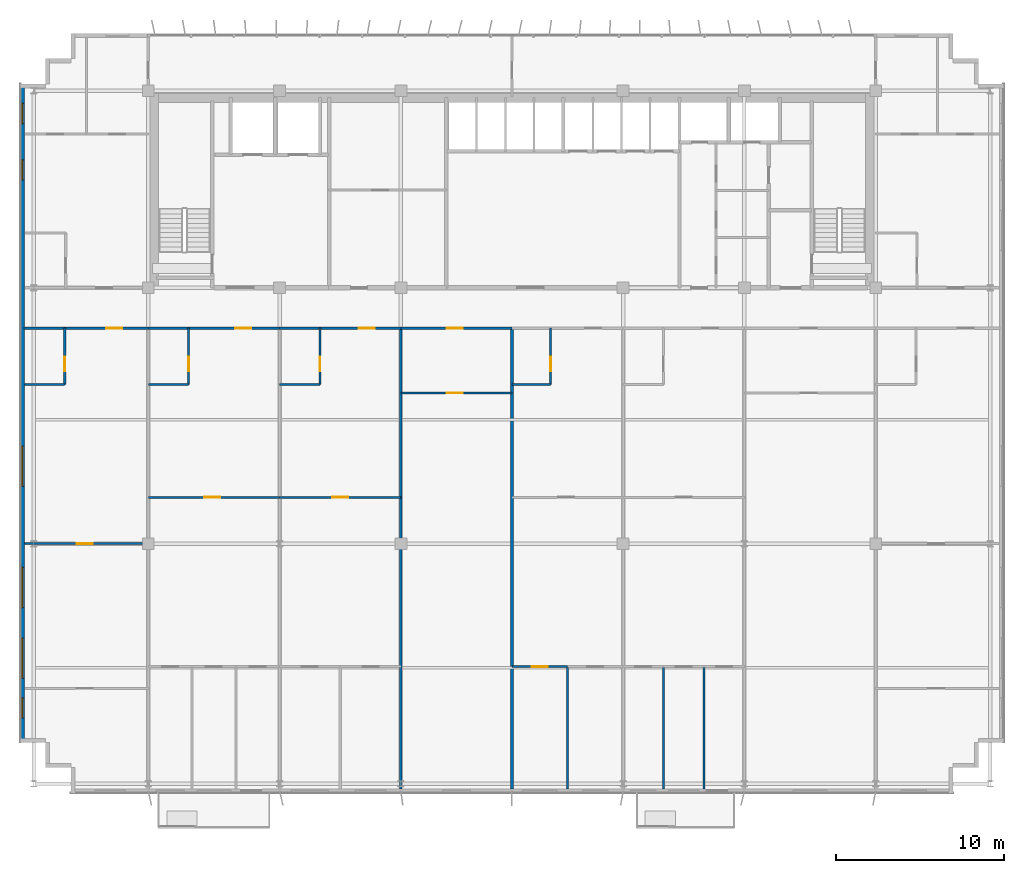
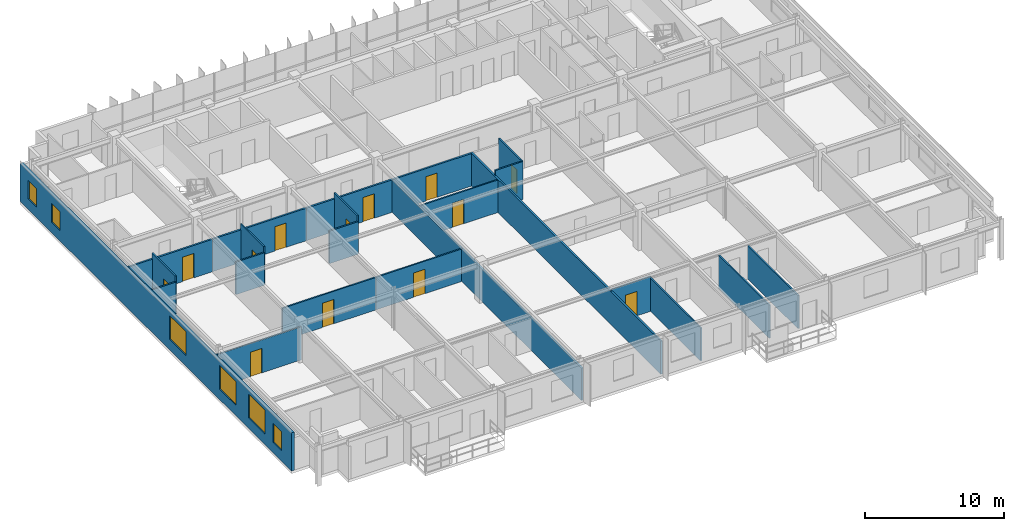
# One storey, part 17 of 23: 23 walls, 13 doors, 6 windows, 19 openings.
"""IFC4 building model written with IfcOpenShell, lengths in metres."""

import ifcopenshell
import ifcopenshell.guid

model = None  # the IFC model being written
_history = None  # IfcOwnerHistory: only IFC2X3 demands one
_inside = {}  # id of a spatial element -> (the spatial element, [elements in it])
_under = {}  # id of a project, library or spatial element -> (it, [spatial elements below it])
_declared = {}  # id of a project -> (the project, [libraries it declares])
_typed = {}  # id of a type object -> (the type object, [elements of that type])
_made_of = {}  # id of a material, layer set ... -> (it, [elements and type objects made of it])


def new_model(schema):
    """Start an empty IFC model of exactly this schema.

    Asked for "IFC4X3", IfcOpenShell would pick the latest addendum, in which some entities
    have other attributes; the version numbers below select the first issue.
    IFC2X3 requires an IfcOwnerHistory on every rooted entity: one is made here for all.
    """
    global model, _history
    if schema == "IFC4X3":
        model = ifcopenshell.file(schema_version=(4, 3, 0, 0))
    else:
        model = ifcopenshell.file(schema=schema)
    _inside.clear()
    _under.clear()
    _declared.clear()
    _typed.clear()
    _made_of.clear()
    _history = None
    if model.schema == "IFC2X3":
        org = make("IfcOrganization", Name="unknown")
        user = make(
            "IfcPersonAndOrganization",
            ThePerson=make("IfcPerson", FamilyName="unknown"),
            TheOrganization=org,
        )
        app = make(
            "IfcApplication",
            ApplicationDeveloper=org,
            Version="unknown",
            ApplicationFullName="unknown",
            ApplicationIdentifier="unknown",
        )
        _history = make(
            "IfcOwnerHistory",
            OwningUser=user,
            OwningApplication=app,
            ChangeAction="ADDED",
            CreationDate=0,
        )
    return model


def make(cls, **values):
    """One entity of the class cls with the attributes given. An attribute that is None is left unset."""
    return model.create_entity(
        cls, **{name: value for name, value in values.items() if value is not None}
    )


def rooted(cls, **values):
    """An entity with a GlobalId (a new one), such as an element, a storey or a relation."""
    return make(cls, GlobalId=ifcopenshell.guid.new(), OwnerHistory=_history, **values)


def si_unit(unit_type, name, prefix=None):
    """IfcSIUnit, for example si_unit("LENGTHUNIT", "METRE", prefix="MILLI")."""
    return make("IfcSIUnit", UnitType=unit_type, Prefix=prefix, Name=name)


def assignment(units):
    """IfcUnitAssignment: the units of a project."""
    return None if units is None else make("IfcUnitAssignment", Units=units)


def point(xyz):
    """IfcCartesianPoint."""
    return None if xyz is None else make("IfcCartesianPoint", Coordinates=xyz)


def direction(xyz):
    """IfcDirection."""
    return None if xyz is None else make("IfcDirection", DirectionRatios=xyz)


def frame(location, z_axis=None, x_axis=None):
    """IfcAxis2Placement3D, a coordinate frame: its origin and axes. An axis left out is left unset."""
    return make(
        "IfcAxis2Placement3D",
        Location=point(location),
        Axis=direction(z_axis),
        RefDirection=direction(x_axis),
    )


def frame_2d(location, x_axis=None):
    """IfcAxis2Placement2D, a coordinate frame in the plane: its origin and x axis."""
    return make(
        "IfcAxis2Placement2D", Location=point(location), RefDirection=direction(x_axis)
    )


def origin():
    """The frame at (0, 0, 0) with its axes left unset."""
    return frame((0.0, 0.0, 0.0))


def place(relative_to, where):
    """IfcLocalPlacement: puts the frame where relative to a parent placement (None: the world)."""
    return make(
        "IfcLocalPlacement", PlacementRelTo=relative_to, RelativePlacement=where
    )


def context(
    kind, dimensions, precision=None, world=None, true_north=None, identifier=None
):
    """IfcGeometricRepresentationContext, for example the 3D "Model" context."""
    return make(
        "IfcGeometricRepresentationContext",
        ContextIdentifier=identifier,
        ContextType=kind,
        CoordinateSpaceDimension=dimensions,
        Precision=precision,
        WorldCoordinateSystem=world,
        TrueNorth=true_north,
    )


def subcontext(parent, identifier, kind, view, scale=None):
    """IfcGeometricRepresentationSubContext, for example "Body" below "Model"."""
    return make(
        "IfcGeometricRepresentationSubContext",
        ContextIdentifier=identifier,
        ContextType=kind,
        ParentContext=parent,
        TargetScale=scale,
        TargetView=view,
    )


def project(units=None, contexts=None):
    """IfcProject with its units and contexts."""
    return rooted(
        "IfcProject",
        Name="project",
        RepresentationContexts=contexts,
        UnitsInContext=assignment(units),
    )


def spatial(cls, under=None, at=None, **own):
    """A site, building, storey or space (cls), placed at a placement, below another one or the project."""
    s = rooted(cls, ObjectPlacement=at, **own)
    if under is not None:
        _under.setdefault(under.id(), (under, []))[1].append(s)
    return s


def profile(cls, at=None, kind="AREA", **sizes):
    """A parametric profile (cls). Its sizes go by their IFC names, for example OverallWidth=200.0."""
    return make(cls, ProfileType=kind, Position=at, **sizes)


def rectangle(**sizes):
    """IfcRectangleProfileDef."""
    return profile("IfcRectangleProfileDef", **sizes)


def extrude(swept, where, along, depth):
    """IfcExtrudedAreaSolid: the profile swept, set in the frame where, extruded along a direction by depth."""
    return make(
        "IfcExtrudedAreaSolid",
        SweptArea=swept,
        Position=where,
        ExtrudedDirection=direction(along),
        Depth=depth,
    )


def shape(context_of_items, identifier, shape_type, items):
    """IfcShapeRepresentation: the items that make up one representation, for example the "Body"."""
    return make(
        "IfcShapeRepresentation",
        ContextOfItems=context_of_items,
        RepresentationIdentifier=identifier,
        RepresentationType=shape_type,
        Items=items,
    )


def source(mapping_origin, context_of_items, identifier, shape_type, items):
    """IfcRepresentationMap: a shape defined once, which mapped items show again and again."""
    return make(
        "IfcRepresentationMap",
        MappingOrigin=mapping_origin,
        MappedRepresentation=shape(context_of_items, identifier, shape_type, items),
    )


def transform(
    local_origin,
    x_axis=None,
    y_axis=None,
    z_axis=None,
    scale=None,
    scale2=None,
    scale3=None,
    uniform=True,
):
    """IfcCartesianTransformationOperator3D, or its non-uniform kind. x_axis, y_axis, z_axis: its Axis1, 2, 3."""
    if uniform:
        return make(
            "IfcCartesianTransformationOperator3D",
            Axis1=direction(x_axis),
            Axis2=direction(y_axis),
            LocalOrigin=point(local_origin),
            Scale=scale,
            Axis3=direction(z_axis),
        )
    return make(
        "IfcCartesianTransformationOperator3DnonUniform",
        Axis1=direction(x_axis),
        Axis2=direction(y_axis),
        LocalOrigin=point(local_origin),
        Scale=scale,
        Axis3=direction(z_axis),
        Scale2=scale2,
        Scale3=scale3,
    )


def mapped(mapping_source, mapping_target):
    """IfcMappedItem: shows the shape of a source again, moved by a transform."""
    return make(
        "IfcMappedItem", MappingSource=mapping_source, MappingTarget=mapping_target
    )


def material(Name=None, Category=None):
    """IfcMaterial."""
    return make("IfcMaterial", Name=Name, Category=Category)


def layer(
    of_material, thickness, ventilated=None, Name=None, Category=None, Priority=None
):
    """IfcMaterialLayer: one layer of a wall or slab, of a material (None: an air gap)."""
    return make(
        "IfcMaterialLayer",
        Material=of_material,
        LayerThickness=thickness,
        IsVentilated=ventilated,
        Name=Name,
        Category=Category,
        Priority=Priority,
    )


def layer_set(layers, Name=None):
    """IfcMaterialLayerSet."""
    return make("IfcMaterialLayerSet", MaterialLayers=layers, LayerSetName=Name)


def made_of(thing, what):
    """Note that an element or type object is made of a material, layer set ...; save() writes the relation."""
    if what is not None:
        _made_of.setdefault(what.id(), (what, []))[1].append(thing)
    return thing


def type_object(cls, material=None, **own):
    """A type object (cls), such as IfcWallType, which elements share."""
    return made_of(rooted(cls, **own), material)


def element(
    cls,
    number,
    at=None,
    inside=None,
    cuts=None,
    type_object=None,
    material=None,
    context=None,
    identifier="Body",
    shape_type=None,
    held_by="IfcProductDefinitionShape",
    body=None,
    shapes=None,
    **own,
):
    """One element of the class cls, such as IfcWall. Its Tag is "e" and its number.

    at: its placement. inside: the storey or other place that contains it. cuts: it is an
    opening in that element (IfcRelVoidsElement). A single representation is given by context,
    identifier, shape_type and body (its items); several are given by shapes. held_by: the class
    of the entity that holds the representations. save() writes the other relations.
    """
    e = rooted(cls, Tag="e%d" % number, ObjectPlacement=at, **own)
    if body is not None:
        shapes = [shape(context, identifier, shape_type, body)]
    if shapes is not None:
        e.Representation = make(held_by, Representations=shapes)
    if inside is not None:
        _inside.setdefault(inside.id(), (inside, []))[1].append(e)
    if cuts is not None:
        rooted(
            "IfcRelVoidsElement", RelatingBuildingElement=cuts, RelatedOpeningElement=e
        )
    if type_object is not None:
        _typed.setdefault(type_object.id(), (type_object, []))[1].append(e)
    return made_of(e, material)


def fill(opening, filler):
    """IfcRelFillsElement: the door or window that sits in an opening."""
    return rooted(
        "IfcRelFillsElement",
        RelatingOpeningElement=opening,
        RelatedBuildingElement=filler,
    )


def aggregate(whole, parts):
    """IfcRelAggregates: a whole, such as a stair, and the parts it consists of."""
    return rooted("IfcRelAggregates", RelatingObject=whole, RelatedObjects=parts)


def save(model, path):
    """Write the relations noted so far, then the file.

    IfcRelAggregates (storeys below a building ...), IfcRelContainedInSpatialStructure (elements
    in a storey), IfcRelDefinesByType, IfcRelAssociatesMaterial and IfcRelDeclares: one each for
    every whole, place, type object, material and project.
    """
    for whole, parts in _under.values():
        aggregate(whole, parts)
    for where, things in _inside.values():
        rooted(
            "IfcRelContainedInSpatialStructure",
            RelatedElements=things,
            RelatingStructure=where,
        )
    for kind, things in _typed.values():
        rooted("IfcRelDefinesByType", RelatedObjects=things, RelatingType=kind)
    for what, things in _made_of.values():
        rooted("IfcRelAssociatesMaterial", RelatedObjects=things, RelatingMaterial=what)
    for by, libraries in _declared.values():
        rooted("IfcRelDeclares", RelatingContext=by, RelatedDefinitions=libraries)
    model.write(path)


model = new_model("IFC4")

# Units and contexts
model_context = context("Model", 3, precision=1e-05, world=origin(), true_north=direction((0.0, 1.0)))
body_context = subcontext(model_context, "Body", "Model", "MODEL_VIEW")
ifc_project = project(units=[si_unit("LENGTHUNIT", "METRE"), si_unit("AREAUNIT", "SQUARE_METRE"), si_unit("VOLUMEUNIT", "CUBIC_METRE"), si_unit("PLANEANGLEUNIT", "RADIAN"), si_unit("MASSUNIT", "GRAM", prefix="KILO")], contexts=[model_context])

# Site, building, storey
site_placement = place(None, origin())
site = spatial("IfcSite", under=ifc_project, at=site_placement, CompositionType="ELEMENT")
building_placement = place(site_placement, origin())
building = spatial("IfcBuilding", under=site, at=building_placement, Name="Trelvane Seafront Commons", CompositionType="ELEMENT")
storey_placement = place(building_placement, frame((0.0, 0.0, 219.300048828125)))
storey = spatial("IfcBuildingStorey", under=building, at=storey_placement, Name="L57", CompositionType="ELEMENT", Elevation=219.300048828125)

# Wall, openings, windows
ifc_material_1 = material(Name="Precast concrete C40/50", Category="concrete")
ifc_layer_1 = layer(ifc_material_1, 0.239990234375, Name="ARCH-WALL-EXT240")
ifc_layer_set_1 = layer_set([ifc_layer_1], Name="Precast concrete C40/50")
wall_type_1 = type_object("IfcWallType", Name="ARCH-WALL-EXT240", PredefinedType="SOLIDWALL", material=ifc_layer_set_1)
wall_1_placement = place(storey_placement, frame((8.1201171875, 6.39990234375, 0.0), z_axis=(0.0, 0.0, 1.0), x_axis=(0.0, 1.0, 0.0)))
wall_1 = element("IfcWall", 1, at=wall_1_placement, inside=storey, type_object=wall_type_1, Name="EW-L57-01146", PredefinedType="SOLIDWALL", context=body_context, shape_type="SweptSolid", body=[
    extrude(rectangle(XDim=39.10009765625, YDim=0.239990234375, at=frame_2d((19.550048828125, 0.0))), origin(), (0.0, 0.0, 1.0), 3.35986328125),
])
opening_1_placement = place(wall_1_placement, frame((1.449951171875, 0.0, 0.919921875)))
opening_1 = element("IfcOpeningElement", 2, at=opening_1_placement, cuts=wall_1, Name="Opening W05", PredefinedType="OPENING", context=body_context, shape_type="SweptSolid", body=[
    extrude(rectangle(XDim=1.199951171875, YDim=1.64990234375, at=frame_2d((0.60009765625, 0.824951171875))), frame((0.0, 0.1298828125, 0.0), z_axis=(0.0, -1.0, 0.0), x_axis=(1.0, 0.0, 0.0)), (0.0, 0.0, 1.0), 0.260009765625),
])
opening_2_placement = place(wall_1_placement, frame((3.800048828125, 0.0, 0.919921875)))
opening_2 = element("IfcOpeningElement", 3, at=opening_2_placement, cuts=wall_1, Name="Opening W08", PredefinedType="OPENING", context=body_context, shape_type="SweptSolid", body=[
    extrude(rectangle(XDim=2.39990234375, YDim=2.10009765625, at=frame_2d((1.199951171875, 1.050048828125))), frame((0.0, 0.1298828125, 0.0), z_axis=(0.0, -1.0, 0.0), x_axis=(1.0, 0.0, 0.0)), (0.0, 0.0, 1.0), 0.260009765625),
])
opening_3_placement = place(wall_1_placement, frame((8.0, 0.0, 0.919921875)))
opening_3 = element("IfcOpeningElement", 4, at=opening_3_placement, cuts=wall_1, Name="Opening W08", PredefinedType="OPENING", context=body_context, shape_type="SweptSolid", body=[
    extrude(rectangle(XDim=2.39990234375, YDim=2.10009765625, at=frame_2d((1.199951171875, 1.050048828125))), frame((0.0, 0.1298828125, 0.0), z_axis=(0.0, -1.0, 0.0), x_axis=(1.0, 0.0, 0.0)), (0.0, 0.0, 1.0), 0.260009765625),
])
opening_4_placement = place(wall_1_placement, frame((15.199951171875, 0.0, 0.919921875)))
opening_4 = element("IfcOpeningElement", 5, at=opening_4_placement, cuts=wall_1, Name="Opening W08", PredefinedType="OPENING", context=body_context, shape_type="SweptSolid", body=[
    extrude(rectangle(XDim=2.39990234375, YDim=2.10009765625, at=frame_2d((1.199951171875, 1.050048828125))), frame((0.0, 0.1298828125, 0.0), z_axis=(0.0, -1.0, 0.0), x_axis=(1.0, 0.0, 0.0)), (0.0, 0.0, 1.0), 0.260009765625),
])
opening_5_placement = place(wall_1_placement, frame((33.39990234375, 0.0, 0.919921875)))
opening_5 = element("IfcOpeningElement", 6, at=opening_5_placement, cuts=wall_1, Name="Opening W05", PredefinedType="OPENING", context=body_context, shape_type="SweptSolid", body=[
    extrude(rectangle(XDim=1.199951171875, YDim=1.64990234375, at=frame_2d((0.60009765625, 0.824951171875))), frame((0.0, 0.1298828125, 0.0), z_axis=(0.0, -1.0, 0.0), x_axis=(1.0, 0.0, 0.0)), (0.0, 0.0, 1.0), 0.260009765625),
])
opening_6_placement = place(wall_1_placement, frame((36.75, 0.0, 0.919921875)))
opening_6 = element("IfcOpeningElement", 7, at=opening_6_placement, cuts=wall_1, Name="Opening W05", PredefinedType="OPENING", context=body_context, shape_type="SweptSolid", body=[
    extrude(rectangle(XDim=1.199951171875, YDim=1.64990234375, at=frame_2d((0.60009765625, 0.824951171875))), frame((0.0, 0.1298828125, 0.0), z_axis=(0.0, -1.0, 0.0), x_axis=(1.0, 0.0, 0.0)), (0.0, 0.0, 1.0), 0.260009765625),
])
ifc_material_2 = material(Name="Low-E coastal double glazing", Category="glass")
window_type_1 = type_object("IfcWindowType", Name="ARCH-WIN-W08", PartitioningType="SINGLE_PANEL", PredefinedType="WINDOW", material=ifc_material_2)
shared_shape_1 = source(origin(), body_context, "Body", "SweptSolid", [
    extrude(rectangle(XDim=2.39990234375, YDim=2.10009765625, at=frame_2d((1.199951171875, 1.050048828125))), frame((0.0, 0.030029296875, 0.0), z_axis=(0.0, -1.0, 0.0), x_axis=(1.0, 0.0, 0.0)), (0.0, 0.0, 1.0), 0.06005859375),
])
window_1_placement = place(opening_2_placement, origin())
window_1 = element("IfcWindow", 8, at=window_1_placement, inside=storey, type_object=window_type_1, Name="WIN-L57-EW-01385", OverallHeight=2.10009765625, OverallWidth=2.39990234375, PartitioningType="SINGLE_PANEL", PredefinedType="WINDOW", context=body_context, shape_type="MappedRepresentation", body=[
    mapped(shared_shape_1, transform((0.0, 0.0, 0.0), x_axis=(1.0, 0.0, 0.0), y_axis=(0.0, 1.0, 0.0), z_axis=(0.0, 0.0, 1.0), scale=1.0)),
])
fill(opening_2, window_1)
window_2_placement = place(opening_3_placement, origin())
window_2 = element("IfcWindow", 9, at=window_2_placement, inside=storey, type_object=window_type_1, Name="WIN-L57-EW-01386", OverallHeight=2.10009765625, OverallWidth=2.39990234375, PartitioningType="SINGLE_PANEL", PredefinedType="WINDOW", context=body_context, shape_type="MappedRepresentation", body=[
    mapped(shared_shape_1, transform((0.0, 0.0, 0.0), x_axis=(1.0, 0.0, 0.0), y_axis=(0.0, 1.0, 0.0), z_axis=(0.0, 0.0, 1.0), scale=1.0)),
])
fill(opening_3, window_2)
window_3_placement = place(opening_4_placement, origin())
window_3 = element("IfcWindow", 10, at=window_3_placement, inside=storey, type_object=window_type_1, Name="WIN-L57-EW-01387", OverallHeight=2.10009765625, OverallWidth=2.39990234375, PartitioningType="SINGLE_PANEL", PredefinedType="WINDOW", context=body_context, shape_type="MappedRepresentation", body=[
    mapped(shared_shape_1, transform((0.0, 0.0, 0.0), x_axis=(1.0, 0.0, 0.0), y_axis=(0.0, 1.0, 0.0), z_axis=(0.0, 0.0, 1.0), scale=1.0)),
])
fill(opening_4, window_3)
window_type_2 = type_object("IfcWindowType", Name="ARCH-WIN-W05", PartitioningType="SINGLE_PANEL", PredefinedType="WINDOW", material=ifc_material_2)
shared_shape_2 = source(origin(), body_context, "Body", "SweptSolid", [
    extrude(rectangle(XDim=1.199951171875, YDim=1.64990234375, at=frame_2d((0.60009765625, 0.824951171875))), frame((0.0, 0.030029296875, 0.0), z_axis=(0.0, -1.0, 0.0), x_axis=(1.0, 0.0, 0.0)), (0.0, 0.0, 1.0), 0.06005859375),
])
window_4_placement = place(opening_1_placement, origin())
window_4 = element("IfcWindow", 11, at=window_4_placement, inside=storey, type_object=window_type_2, Name="WIN-L57-EW-01384", OverallHeight=1.64990234375, OverallWidth=1.199951171875, PartitioningType="SINGLE_PANEL", PredefinedType="WINDOW", context=body_context, shape_type="MappedRepresentation", body=[
    mapped(shared_shape_2, transform((0.0, 0.0, 0.0), x_axis=(1.0, 0.0, 0.0), y_axis=(0.0, 1.0, 0.0), z_axis=(0.0, 0.0, 1.0), scale=1.0)),
])
fill(opening_1, window_4)
window_5_placement = place(opening_5_placement, origin())
window_5 = element("IfcWindow", 12, at=window_5_placement, inside=storey, type_object=window_type_2, Name="WIN-L57-EW-01388", OverallHeight=1.64990234375, OverallWidth=1.199951171875, PartitioningType="SINGLE_PANEL", PredefinedType="WINDOW", context=body_context, shape_type="MappedRepresentation", body=[
    mapped(shared_shape_2, transform((0.0, 0.0, 0.0), x_axis=(1.0, 0.0, 0.0), y_axis=(0.0, 1.0, 0.0), z_axis=(0.0, 0.0, 1.0), scale=1.0)),
])
fill(opening_5, window_5)
window_6_placement = place(opening_6_placement, origin())
window_6 = element("IfcWindow", 13, at=window_6_placement, inside=storey, type_object=window_type_2, Name="WIN-L57-EW-01389", OverallHeight=1.64990234375, OverallWidth=1.199951171875, PartitioningType="SINGLE_PANEL", PredefinedType="WINDOW", context=body_context, shape_type="MappedRepresentation", body=[
    mapped(shared_shape_2, transform((0.0, 0.0, 0.0), x_axis=(1.0, 0.0, 0.0), y_axis=(0.0, 1.0, 0.0), z_axis=(0.0, 0.0, 1.0), scale=1.0)),
])
fill(opening_6, window_6)

# Wall, opening, door
ifc_material_3 = material(Name="Gypsum Drywall Acoustic Partition")
ifc_layer_2 = layer(ifc_material_3, 0.1201171875, Name="ARCH-WALL-PART120")
ifc_layer_set_2 = layer_set([ifc_layer_2], Name="Gypsum Drywall Acoustic Partition")
wall_type_2 = type_object("IfcWallType", Name="ARCH-WALL-PART120", PredefinedType="PARTITIONING", material=ifc_layer_set_2)
wall_2_placement = place(storey_placement, frame((8.239990234375, 18.199951171875, 0.0), z_axis=(0.0, 0.0, 1.0), x_axis=(1.0, 0.0, 0.0)))
wall_2 = element("IfcWall", 14, at=wall_2_placement, inside=storey, type_object=wall_type_2, Name="W-L57-U1-KL-059", PredefinedType="PARTITIONING", context=body_context, shape_type="SweptSolid", body=[
    extrude(rectangle(XDim=7.360107421875, YDim=0.1201171875, at=frame_2d((3.68017578125, 0.0))), origin(), (0.0, 0.0, 1.0), 2.909912109375),
])
opening_7_placement = place(wall_2_placement, frame((3.114013671875, 0.0, 0.0)))
opening_7 = element("IfcOpeningElement", 15, at=opening_7_placement, cuts=wall_2, Name="Opening D-L57-32", PredefinedType="OPENING", context=body_context, shape_type="SweptSolid", body=[
    extrude(rectangle(XDim=0.949951171875, YDim=2.14990234375, at=frame_2d((0.47509765625, 1.074951171875))), frame((0.0, 0.070068359375, 0.0), z_axis=(0.0, -1.0, 0.0), x_axis=(1.0, 0.0, 0.0)), (0.0, 0.0, 1.0), 0.14013671875),
])
ifc_material_4 = material(Name="Acoustic timber door leaf", Category="wood")
door_type_1 = type_object("IfcDoorType", Name="ARCH-DR-INT950", OperationType="NOTDEFINED", PredefinedType="DOOR", material=ifc_material_4)
shared_shape_3 = source(origin(), body_context, "Body", "SweptSolid", [
    extrude(rectangle(XDim=0.949951171875, YDim=2.14990234375, at=frame_2d((0.47509765625, 1.074951171875))), frame((0.0, 0.02490234375, 0.0), z_axis=(0.0, -1.0, 0.0), x_axis=(1.0, 0.0, 0.0)), (0.0, 0.0, 1.0), 0.050048828125),
])
door_1_placement = place(opening_7_placement, origin())
door_1 = element("IfcDoor", 16, at=door_1_placement, inside=storey, type_object=door_type_1, Name="L57 Door 32", OperationType="SINGLE_SWING_RIGHT", OverallHeight=2.14990234375, OverallWidth=0.949951171875, PredefinedType="DOOR", context=body_context, shape_type="MappedRepresentation", body=[
    mapped(shared_shape_3, transform((0.0, 0.0, 0.0), x_axis=(1.0, 0.0, 0.0), y_axis=(0.0, 1.0, 0.0), z_axis=(0.0, 0.0, 1.0), scale=1.0)),
])
fill(opening_7, door_1)

wall_3_placement = place(storey_placement, frame((10.639892578125, 27.64990234375, 0.0), z_axis=(0.0, 0.0, 1.0), x_axis=(0.0, 1.0, 0.0)))
wall_3 = element("IfcWall", 17, at=wall_3_placement, inside=storey, type_object=wall_type_2, Name="W-L57-U1-BE-060", PredefinedType="PARTITIONING", context=body_context, shape_type="SweptSolid", body=[
    extrude(rectangle(XDim=3.35009765625, YDim=0.1201171875, at=frame_2d((1.675048828125, 0.0))), origin(), (0.0, 0.0, 1.0), 3.35986328125),
])
opening_8_placement = place(wall_3_placement, frame((0.800048828125, 0.0, 0.0)))
opening_8 = element("IfcOpeningElement", 18, at=opening_8_placement, cuts=wall_3, Name="Opening D-L57-33", PredefinedType="OPENING", context=body_context, shape_type="SweptSolid", body=[
    extrude(rectangle(XDim=0.85009765625, YDim=2.10009765625, at=frame_2d((0.425048828125, 1.050048828125))), frame((0.0, 0.070068359375, 0.0), z_axis=(0.0, -1.0, 0.0), x_axis=(1.0, 0.0, 0.0)), (0.0, 0.0, 1.0), 0.14013671875),
])
door_type_2 = type_object("IfcDoorType", Name="ARCH-DR-INT850", OperationType="NOTDEFINED", PredefinedType="DOOR", material=ifc_material_4)
shared_shape_4 = source(origin(), body_context, "Body", "SweptSolid", [
    extrude(rectangle(XDim=0.85009765625, YDim=2.10009765625, at=frame_2d((0.425048828125, 1.050048828125))), frame((0.0, 0.02490234375, 0.0), z_axis=(0.0, -1.0, 0.0), x_axis=(1.0, 0.0, 0.0)), (0.0, 0.0, 1.0), 0.050048828125),
])
door_2_placement = place(opening_8_placement, origin())
door_2 = element("IfcDoor", 19, at=door_2_placement, inside=storey, type_object=door_type_2, Name="L57 Door 33", OperationType="SINGLE_SWING_LEFT", OverallHeight=2.10009765625, OverallWidth=0.85009765625, PredefinedType="DOOR", context=body_context, shape_type="MappedRepresentation", body=[
    mapped(shared_shape_4, transform((0.0, 0.0, 0.0), x_axis=(1.0, 0.0, 0.0), y_axis=(0.0, 1.0, 0.0), z_axis=(0.0, 0.0, 1.0), scale=1.0)),
])
fill(opening_8, door_2)

# Wall
wall_4_placement = place(storey_placement, frame((8.239990234375, 27.64990234375, 0.0), z_axis=(0.0, 0.0, 1.0), x_axis=(1.0, 0.0, 0.0)))
element("IfcWall", 20, at=wall_4_placement, inside=storey, type_object=wall_type_2, Name="W-L57-U1-BS-061", PredefinedType="PARTITIONING", context=body_context, shape_type="SweptSolid", body=[
    extrude(rectangle(XDim=2.39990234375, YDim=0.1201171875, at=frame_2d((1.199951171875, 0.0))), origin(), (0.0, 0.0, 1.0), 2.85986328125),
])

# Wall, opening, door
wall_5_placement = place(storey_placement, frame((15.60009765625, 20.949951171875, 0.0), z_axis=(0.0, 0.0, 1.0), x_axis=(1.0, 0.0, 0.0)))
wall_5 = element("IfcWall", 21, at=wall_5_placement, inside=storey, type_object=wall_type_2, Name="W-L57-U2-KL-064", PredefinedType="PARTITIONING", context=body_context, shape_type="SweptSolid", body=[
    extrude(rectangle(XDim=7.7998046875, YDim=0.1201171875, at=frame_2d((3.89990234375, 0.0))), origin(), (0.0, 0.0, 1.0), 2.85986328125),
])
opening_9_placement = place(wall_5_placement, frame((3.3330078125, 0.0, 0.0)))
opening_9 = element("IfcOpeningElement", 22, at=opening_9_placement, cuts=wall_5, Name="Opening D-L57-36", PredefinedType="OPENING", context=body_context, shape_type="SweptSolid", body=[
    extrude(rectangle(XDim=0.949951171875, YDim=2.14990234375, at=frame_2d((0.47509765625, 1.074951171875))), frame((0.0, 0.070068359375, 0.0), z_axis=(0.0, -1.0, 0.0), x_axis=(1.0, 0.0, 0.0)), (0.0, 0.0, 1.0), 0.14013671875),
])
door_3_placement = place(opening_9_placement, origin())
door_3 = element("IfcDoor", 23, at=door_3_placement, inside=storey, type_object=door_type_1, Name="L57 Door 36", OperationType="SINGLE_SWING_RIGHT", OverallHeight=2.14990234375, OverallWidth=0.949951171875, PredefinedType="DOOR", context=body_context, shape_type="MappedRepresentation", body=[
    mapped(shared_shape_3, transform((0.0, 0.0, 0.0), x_axis=(1.0, 0.0, 0.0), y_axis=(0.0, 1.0, 0.0), z_axis=(0.0, 0.0, 1.0), scale=1.0)),
])
fill(opening_9, door_3)

wall_6_placement = place(storey_placement, frame((18.0, 27.64990234375, 0.0), z_axis=(0.0, 0.0, 1.0), x_axis=(0.0, 1.0, 0.0)))
wall_6 = element("IfcWall", 24, at=wall_6_placement, inside=storey, type_object=wall_type_2, Name="W-L57-U2-BE-065", PredefinedType="PARTITIONING", context=body_context, shape_type="SweptSolid", body=[
    extrude(rectangle(XDim=3.35009765625, YDim=0.1201171875, at=frame_2d((1.675048828125, 0.0))), origin(), (0.0, 0.0, 1.0), 3.35986328125),
])
opening_10_placement = place(wall_6_placement, frame((0.800048828125, 0.0, 0.0)))
opening_10 = element("IfcOpeningElement", 25, at=opening_10_placement, cuts=wall_6, Name="Opening D-L57-37", PredefinedType="OPENING", context=body_context, shape_type="SweptSolid", body=[
    extrude(rectangle(XDim=0.85009765625, YDim=2.10009765625, at=frame_2d((0.425048828125, 1.050048828125))), frame((0.0, 0.070068359375, 0.0), z_axis=(0.0, -1.0, 0.0), x_axis=(1.0, 0.0, 0.0)), (0.0, 0.0, 1.0), 0.14013671875),
])
door_4_placement = place(opening_10_placement, origin())
door_4 = element("IfcDoor", 26, at=door_4_placement, inside=storey, type_object=door_type_2, Name="L57 Door 37", OperationType="SINGLE_SWING_LEFT", OverallHeight=2.10009765625, OverallWidth=0.85009765625, PredefinedType="DOOR", context=body_context, shape_type="MappedRepresentation", body=[
    mapped(shared_shape_4, transform((0.0, 0.0, 0.0), x_axis=(1.0, 0.0, 0.0), y_axis=(0.0, 1.0, 0.0), z_axis=(0.0, 0.0, 1.0), scale=1.0)),
])
fill(opening_10, door_4)

# Wall
wall_7_placement = place(storey_placement, frame((15.60009765625, 27.64990234375, 0.0), z_axis=(0.0, 0.0, 1.0), x_axis=(1.0, 0.0, 0.0)))
element("IfcWall", 27, at=wall_7_placement, inside=storey, type_object=wall_type_2, Name="W-L57-U2-BS-066", PredefinedType="PARTITIONING", context=body_context, shape_type="SweptSolid", body=[
    extrude(rectangle(XDim=2.39990234375, YDim=0.1201171875, at=frame_2d((1.199951171875, 0.0))), origin(), (0.0, 0.0, 1.0), 2.85986328125),
])

# Wall, opening, door
wall_8_placement = place(storey_placement, frame((23.39990234375, 20.949951171875, 0.0), z_axis=(0.0, 0.0, 1.0), x_axis=(1.0, 0.0, 0.0)))
wall_8 = element("IfcWall", 28, at=wall_8_placement, inside=storey, type_object=wall_type_2, Name="W-L57-U3-KL-073", PredefinedType="PARTITIONING", context=body_context, shape_type="SweptSolid", body=[
    extrude(rectangle(XDim=7.2001953125, YDim=0.1201171875, at=frame_2d((3.60009765625, 0.0))), origin(), (0.0, 0.0, 1.0), 2.85986328125),
])
opening_11_placement = place(wall_8_placement, frame((3.125, 0.0, 0.0)))
opening_11 = element("IfcOpeningElement", 29, at=opening_11_placement, cuts=wall_8, Name="Opening D-L57-42", PredefinedType="OPENING", context=body_context, shape_type="SweptSolid", body=[
    extrude(rectangle(XDim=0.949951171875, YDim=2.14990234375, at=frame_2d((0.47509765625, 1.074951171875))), frame((0.0, 0.070068359375, 0.0), z_axis=(0.0, -1.0, 0.0), x_axis=(1.0, 0.0, 0.0)), (0.0, 0.0, 1.0), 0.14013671875),
])
door_5_placement = place(opening_11_placement, origin())
door_5 = element("IfcDoor", 30, at=door_5_placement, inside=storey, type_object=door_type_1, Name="L57 Door 42", OperationType="SINGLE_SWING_RIGHT", OverallHeight=2.14990234375, OverallWidth=0.949951171875, PredefinedType="DOOR", context=body_context, shape_type="MappedRepresentation", body=[
    mapped(shared_shape_3, transform((0.0, 0.0, 0.0), x_axis=(1.0, 0.0, 0.0), y_axis=(0.0, 1.0, 0.0), z_axis=(0.0, 0.0, 1.0), scale=1.0)),
])
fill(opening_11, door_5)

wall_9_placement = place(storey_placement, frame((25.800048828125, 27.64990234375, 0.0), z_axis=(0.0, 0.0, 1.0), x_axis=(0.0, 1.0, 0.0)))
wall_9 = element("IfcWall", 31, at=wall_9_placement, inside=storey, type_object=wall_type_2, Name="W-L57-U3-BE-074", PredefinedType="PARTITIONING", context=body_context, shape_type="SweptSolid", body=[
    extrude(rectangle(XDim=3.35009765625, YDim=0.1201171875, at=frame_2d((1.675048828125, 0.0))), origin(), (0.0, 0.0, 1.0), 3.35986328125),
])
opening_12_placement = place(wall_9_placement, frame((0.800048828125, 0.0, 0.0)))
opening_12 = element("IfcOpeningElement", 32, at=opening_12_placement, cuts=wall_9, Name="Opening D-L57-43", PredefinedType="OPENING", context=body_context, shape_type="SweptSolid", body=[
    extrude(rectangle(XDim=0.85009765625, YDim=2.10009765625, at=frame_2d((0.425048828125, 1.050048828125))), frame((0.0, 0.070068359375, 0.0), z_axis=(0.0, -1.0, 0.0), x_axis=(1.0, 0.0, 0.0)), (0.0, 0.0, 1.0), 0.14013671875),
])
door_6_placement = place(opening_12_placement, origin())
door_6 = element("IfcDoor", 33, at=door_6_placement, inside=storey, type_object=door_type_2, Name="L57 Door 43", OperationType="SINGLE_SWING_LEFT", OverallHeight=2.10009765625, OverallWidth=0.85009765625, PredefinedType="DOOR", context=body_context, shape_type="MappedRepresentation", body=[
    mapped(shared_shape_4, transform((0.0, 0.0, 0.0), x_axis=(1.0, 0.0, 0.0), y_axis=(0.0, 1.0, 0.0), z_axis=(0.0, 0.0, 1.0), scale=1.0)),
])
fill(opening_12, door_6)

# Wall
wall_10_placement = place(storey_placement, frame((23.39990234375, 27.64990234375, 0.0), z_axis=(0.0, 0.0, 1.0), x_axis=(1.0, 0.0, 0.0)))
element("IfcWall", 34, at=wall_10_placement, inside=storey, type_object=wall_type_2, Name="W-L57-U3-BS-075", PredefinedType="PARTITIONING", context=body_context, shape_type="SweptSolid", body=[
    extrude(rectangle(XDim=2.400146484375, YDim=0.1201171875, at=frame_2d((1.2001953125, 0.0))), origin(), (0.0, 0.0, 1.0), 2.85986328125),
])

# Wall, opening, door
wall_11_placement = place(storey_placement, frame((30.60009765625, 27.14990234375, 0.0), z_axis=(0.0, 0.0, 1.0), x_axis=(1.0, 0.0, 0.0)))
wall_11 = element("IfcWall", 35, at=wall_11_placement, inside=storey, type_object=wall_type_2, Name="W-L57-U4-DIV-081", PredefinedType="PARTITIONING", context=body_context, shape_type="SweptSolid", body=[
    extrude(rectangle(XDim=6.599853515625, YDim=0.1201171875, at=frame_2d((3.2998046875, 0.0))), origin(), (0.0, 0.0, 1.0), 2.85986328125),
])
opening_13_placement = place(wall_11_placement, frame((2.73388671875, 0.0, 0.0)))
opening_13 = element("IfcOpeningElement", 36, at=opening_13_placement, cuts=wall_11, Name="Opening D-L57-48", PredefinedType="OPENING", context=body_context, shape_type="SweptSolid", body=[
    extrude(rectangle(XDim=0.949951171875, YDim=2.14990234375, at=frame_2d((0.47509765625, 1.074951171875))), frame((0.0, 0.070068359375, 0.0), z_axis=(0.0, -1.0, 0.0), x_axis=(1.0, 0.0, 0.0)), (0.0, 0.0, 1.0), 0.14013671875),
])
door_7_placement = place(opening_13_placement, origin())
door_7 = element("IfcDoor", 37, at=door_7_placement, inside=storey, type_object=door_type_1, Name="L57 Door 48", OperationType="SINGLE_SWING_RIGHT", OverallHeight=2.14990234375, OverallWidth=0.949951171875, PredefinedType="DOOR", context=body_context, shape_type="MappedRepresentation", body=[
    mapped(shared_shape_3, transform((0.0, 0.0, 0.0), x_axis=(1.0, 0.0, 0.0), y_axis=(0.0, 1.0, 0.0), z_axis=(0.0, 0.0, 1.0), scale=1.0)),
])
fill(opening_13, door_7)

wall_12_placement = place(storey_placement, frame((39.493896484375, 27.64990234375, 0.0), z_axis=(0.0, 0.0, 1.0), x_axis=(0.0, 1.0, 0.0)))
wall_12 = element("IfcWall", 38, at=wall_12_placement, inside=storey, type_object=wall_type_2, Name="W-L57-U5-BE-083", PredefinedType="PARTITIONING", context=body_context, shape_type="SweptSolid", body=[
    extrude(rectangle(XDim=3.35009765625, YDim=0.1201171875, at=frame_2d((1.675048828125, 0.0))), origin(), (0.0, 0.0, 1.0), 3.35986328125),
])
opening_14_placement = place(wall_12_placement, frame((0.800048828125, 0.0, 0.0)))
opening_14 = element("IfcOpeningElement", 39, at=opening_14_placement, cuts=wall_12, Name="Opening D-L57-50", PredefinedType="OPENING", context=body_context, shape_type="SweptSolid", body=[
    extrude(rectangle(XDim=0.85009765625, YDim=2.10009765625, at=frame_2d((0.425048828125, 1.050048828125))), frame((0.0, 0.070068359375, 0.0), z_axis=(0.0, -1.0, 0.0), x_axis=(1.0, 0.0, 0.0)), (0.0, 0.0, 1.0), 0.14013671875),
])
door_8_placement = place(opening_14_placement, origin())
door_8 = element("IfcDoor", 40, at=door_8_placement, inside=storey, type_object=door_type_2, Name="L57 Door 50", OperationType="SINGLE_SWING_RIGHT", OverallHeight=2.10009765625, OverallWidth=0.85009765625, PredefinedType="DOOR", context=body_context, shape_type="MappedRepresentation", body=[
    mapped(shared_shape_4, transform((0.0, 0.0, 0.0), x_axis=(1.0, 0.0, 0.0), y_axis=(0.0, 1.0, 0.0), z_axis=(0.0, 0.0, 1.0), scale=1.0)),
])
fill(opening_14, door_8)

# Wall
wall_13_placement = place(storey_placement, frame((37.199951171875, 27.64990234375, 0.0), z_axis=(0.0, 0.0, 1.0), x_axis=(1.0, 0.0, 0.0)))
element("IfcWall", 41, at=wall_13_placement, inside=storey, type_object=wall_type_2, Name="W-L57-U5-BS-084", PredefinedType="PARTITIONING", context=body_context, shape_type="SweptSolid", body=[
    extrude(rectangle(XDim=2.2939453125, YDim=0.1201171875, at=frame_2d((1.14697265625, 0.0))), origin(), (0.0, 0.0, 1.0), 3.35986328125),
])

# Wall, opening, door
wall_14_placement = place(storey_placement, frame((37.199951171875, 10.89990234375, 0.0), z_axis=(0.0, 0.0, 1.0), x_axis=(1.0, 0.0, 0.0)))
wall_14 = element("IfcWall", 42, at=wall_14_placement, inside=storey, type_object=wall_type_2, Name="W-L57-U5-YM-1-086", PredefinedType="PARTITIONING", context=body_context, shape_type="SweptSolid", body=[
    extrude(rectangle(XDim=3.300048828125, YDim=0.1201171875, at=frame_2d((1.64990234375, 0.0))), origin(), (0.0, 0.0, 1.0), 3.06005859375),
])
opening_15_placement = place(wall_14_placement, frame((1.175048828125, 0.0, 0.0)))
opening_15 = element("IfcOpeningElement", 43, at=opening_15_placement, cuts=wall_14, Name="Opening D-L57-52", PredefinedType="OPENING", context=body_context, shape_type="SweptSolid", body=[
    extrude(rectangle(XDim=0.949951171875, YDim=2.14990234375, at=frame_2d((0.47509765625, 1.074951171875))), frame((0.0, 0.070068359375, 0.0), z_axis=(0.0, -1.0, 0.0), x_axis=(1.0, 0.0, 0.0)), (0.0, 0.0, 1.0), 0.14013671875),
])
door_9_placement = place(opening_15_placement, origin())
door_9 = element("IfcDoor", 44, at=door_9_placement, inside=storey, type_object=door_type_1, Name="L57 Door 52", OperationType="SINGLE_SWING_RIGHT", OverallHeight=2.14990234375, OverallWidth=0.949951171875, PredefinedType="DOOR", context=body_context, shape_type="MappedRepresentation", body=[
    mapped(shared_shape_3, transform((0.0, 0.0, 0.0), x_axis=(1.0, 0.0, 0.0), y_axis=(0.0, 1.0, 0.0), z_axis=(0.0, 0.0, 1.0), scale=1.0)),
])
fill(opening_15, door_9)

# Walls
for number, where, z_axis, x_axis, name in (
    (45, (40.5, 3.625, 0.0), (0.0, 0.0, 1.0), (0.0, 1.0, 0.0), "W-L57-U5-BDV-1-088"),
    (46, (46.199951171875, 3.625, 0.0), (0.0, 0.0, 1.0), (0.0, 1.0, 0.0), "W-L57-U6-BDV-1-095"),
    (47, (48.60009765625, 3.625, 0.0), (0.0, 0.0, 1.0), (0.0, 1.0, 0.0), "W-L57-U6-BDV-2-097"),
):
    element("IfcWall", number, at=place(storey_placement, frame(where, z_axis=z_axis, x_axis=x_axis)), inside=storey, type_object=wall_type_2, Name=name, PredefinedType="PARTITIONING", context=body_context, shape_type="SweptSolid", body=[
        extrude(rectangle(XDim=7.27490234375, YDim=0.1201171875, at=frame_2d((3.637451171875, 0.0))), origin(), (0.0, 0.0, 1.0), 2.909912109375),
    ])
ifc_layer_3 = layer(ifc_material_3, 0.14990234375, Name="ARCH-WALL-PART150")
ifc_layer_set_3 = layer_set([ifc_layer_3], Name="Gypsum Drywall Acoustic Partition")
wall_type_3 = type_object("IfcWallType", Name="ARCH-WALL-PART150", PredefinedType="PARTITIONING", material=ifc_layer_set_3)
wall_15_placement = place(storey_placement, frame((30.60009765625, 3.625, 0.0), z_axis=(0.0, 0.0, 1.0), x_axis=(0.0, 1.0, 0.0)))
element("IfcWall", 48, at=wall_15_placement, inside=storey, type_object=wall_type_3, Name="W-L57-PW-3-054", PredefinedType="PARTITIONING", context=body_context, shape_type="SweptSolid", body=[
    extrude(rectangle(XDim=27.375, YDim=0.14990234375, at=frame_2d((13.6875, 0.0))), origin(), (0.0, 0.0, 1.0), 2.85986328125),
])
wall_16_placement = place(storey_placement, frame((37.199951171875, 3.625, 0.0), z_axis=(0.0, 0.0, 1.0), x_axis=(0.0, 1.0, 0.0)))
element("IfcWall", 49, at=wall_16_placement, inside=storey, type_object=wall_type_3, Name="W-L57-PW-4-055", PredefinedType="PARTITIONING", context=body_context, shape_type="SweptSolid", body=[
    extrude(rectangle(XDim=27.375, YDim=0.14990234375, at=frame_2d((13.6875, 0.0))), origin(), (0.0, 0.0, 1.0), 2.909912109375),
])

# Wall, opening, door
wall_17_placement = place(storey_placement, frame((8.22509765625, 31.0, 0.0), z_axis=(0.0, 0.0, 1.0), x_axis=(1.0, 0.0, 0.0)))
wall_17 = element("IfcWall", 50, at=wall_17_placement, inside=storey, type_object=wall_type_3, Name="W-L57-CS-BAY-1-062", PredefinedType="PARTITIONING", context=body_context, shape_type="SweptSolid", body=[
    extrude(rectangle(XDim=7.375, YDim=0.14990234375, at=frame_2d((3.6875, 0.0))), origin(), (0.0, 0.0, 1.0), 2.85986328125),
])
opening_16_placement = place(wall_17_placement, frame((4.876953125, 0.0, 0.0)))
opening_16 = element("IfcOpeningElement", 51, at=opening_16_placement, cuts=wall_17, Name="Opening FD-L57-34", PredefinedType="OPENING", context=body_context, shape_type="SweptSolid", body=[
    extrude(rectangle(XDim=0.949951171875, YDim=2.14990234375, at=frame_2d((0.47509765625, 1.074951171875))), frame((0.0, 0.0849609375, 0.0), z_axis=(0.0, -1.0, 0.0), x_axis=(1.0, 0.0, 0.0)), (0.0, 0.0, 1.0), 0.169921875),
])
ifc_material_5 = material(Name="Powder-coated aluminium frame", Category="aluminium")
door_type_3 = type_object("IfcDoorType", Name="ARCH-DR-FD60-950", OperationType="NOTDEFINED", PredefinedType="DOOR", material=ifc_material_5)
door_10_placement = place(opening_16_placement, origin())
door_10 = element("IfcDoor", 52, at=door_10_placement, inside=storey, type_object=door_type_3, Name="L57 Unit 01 Entrance Door", OperationType="SINGLE_SWING_RIGHT", OverallHeight=2.14990234375, OverallWidth=0.949951171875, PredefinedType="DOOR", context=body_context, shape_type="MappedRepresentation", body=[
    mapped(shared_shape_3, transform((0.0, 0.0, 0.0), x_axis=(1.0, 0.0, 0.0), y_axis=(0.0, 1.0, 0.0), z_axis=(0.0, 0.0, 1.0), scale=1.0)),
])
fill(opening_16, door_10)

wall_18_placement = place(storey_placement, frame((15.60009765625, 31.0, 0.0), z_axis=(0.0, 0.0, 1.0), x_axis=(1.0, 0.0, 0.0)))
wall_18 = element("IfcWall", 53, at=wall_18_placement, inside=storey, type_object=wall_type_3, Name="W-L57-CS-BAY-2-067", PredefinedType="PARTITIONING", context=body_context, shape_type="SweptSolid", body=[
    extrude(rectangle(XDim=7.7998046875, YDim=0.14990234375, at=frame_2d((3.89990234375, 0.0))), origin(), (0.0, 0.0, 1.0), 2.85986328125),
])
opening_17_placement = place(wall_18_placement, frame((5.172119140625, 0.0, 0.0)))
opening_17 = element("IfcOpeningElement", 54, at=opening_17_placement, cuts=wall_18, Name="Opening FD-L57-38", PredefinedType="OPENING", context=body_context, shape_type="SweptSolid", body=[
    extrude(rectangle(XDim=0.949951171875, YDim=2.14990234375, at=frame_2d((0.47509765625, 1.074951171875))), frame((0.0, 0.0849609375, 0.0), z_axis=(0.0, -1.0, 0.0), x_axis=(1.0, 0.0, 0.0)), (0.0, 0.0, 1.0), 0.169921875),
])
door_11_placement = place(opening_17_placement, origin())
door_11 = element("IfcDoor", 55, at=door_11_placement, inside=storey, type_object=door_type_3, Name="L57 Unit 02 Entrance Door", OperationType="SINGLE_SWING_RIGHT", OverallHeight=2.14990234375, OverallWidth=0.949951171875, PredefinedType="DOOR", context=body_context, shape_type="MappedRepresentation", body=[
    mapped(shared_shape_3, transform((0.0, 0.0, 0.0), x_axis=(1.0, 0.0, 0.0), y_axis=(0.0, 1.0, 0.0), z_axis=(0.0, 0.0, 1.0), scale=1.0)),
])
fill(opening_17, door_11)

wall_19_placement = place(storey_placement, frame((23.39990234375, 31.0, 0.0), z_axis=(0.0, 0.0, 1.0), x_axis=(1.0, 0.0, 0.0)))
wall_19 = element("IfcWall", 56, at=wall_19_placement, inside=storey, type_object=wall_type_3, Name="W-L57-CS-BAY-3-076", PredefinedType="PARTITIONING", context=body_context, shape_type="SweptSolid", body=[
    extrude(rectangle(XDim=7.2001953125, YDim=0.14990234375, at=frame_2d((3.60009765625, 0.0))), origin(), (0.0, 0.0, 1.0), 2.85986328125),
])
opening_18_placement = place(wall_19_placement, frame((4.7060546875, 0.0, 0.0)))
opening_18 = element("IfcOpeningElement", 57, at=opening_18_placement, cuts=wall_19, Name="Opening FD-L57-44", PredefinedType="OPENING", context=body_context, shape_type="SweptSolid", body=[
    extrude(rectangle(XDim=0.949951171875, YDim=2.14990234375, at=frame_2d((0.47509765625, 1.074951171875))), frame((0.0, 0.0849609375, 0.0), z_axis=(0.0, -1.0, 0.0), x_axis=(1.0, 0.0, 0.0)), (0.0, 0.0, 1.0), 0.169921875),
])
door_12_placement = place(opening_18_placement, origin())
door_12 = element("IfcDoor", 58, at=door_12_placement, inside=storey, type_object=door_type_3, Name="L57 Unit 03 Entrance Door", OperationType="SINGLE_SWING_RIGHT", OverallHeight=2.14990234375, OverallWidth=0.949951171875, PredefinedType="DOOR", context=body_context, shape_type="MappedRepresentation", body=[
    mapped(shared_shape_3, transform((0.0, 0.0, 0.0), x_axis=(1.0, 0.0, 0.0), y_axis=(0.0, 1.0, 0.0), z_axis=(0.0, 0.0, 1.0), scale=1.0)),
])
fill(opening_18, door_12)

wall_20_placement = place(storey_placement, frame((30.60009765625, 31.0, 0.0), z_axis=(0.0, 0.0, 1.0), x_axis=(1.0, 0.0, 0.0)))
wall_20 = element("IfcWall", 59, at=wall_20_placement, inside=storey, type_object=wall_type_3, Name="W-L57-CS-BAY-4-080", PredefinedType="PARTITIONING", context=body_context, shape_type="SweptSolid", body=[
    extrude(rectangle(XDim=6.599853515625, YDim=0.14990234375, at=frame_2d((3.2998046875, 0.0))), origin(), (0.0, 0.0, 1.0), 2.85986328125),
])
opening_19_placement = place(wall_20_placement, frame((2.73388671875, 0.0, 0.0)))
opening_19 = element("IfcOpeningElement", 60, at=opening_19_placement, cuts=wall_20, Name="Opening FD-L57-47", PredefinedType="OPENING", context=body_context, shape_type="SweptSolid", body=[
    extrude(rectangle(XDim=0.949951171875, YDim=2.14990234375, at=frame_2d((0.47509765625, 1.074951171875))), frame((0.0, 0.0849609375, 0.0), z_axis=(0.0, -1.0, 0.0), x_axis=(1.0, 0.0, 0.0)), (0.0, 0.0, 1.0), 0.169921875),
])
door_13_placement = place(opening_19_placement, origin())
door_13 = element("IfcDoor", 61, at=door_13_placement, inside=storey, type_object=door_type_3, Name="L57 Bay 04 Entrance Door", OperationType="SINGLE_SWING_LEFT", OverallHeight=2.14990234375, OverallWidth=0.949951171875, PredefinedType="DOOR", context=body_context, shape_type="MappedRepresentation", body=[
    mapped(shared_shape_3, transform((0.0, 0.0, 0.0), x_axis=(1.0, 0.0, 0.0), y_axis=(0.0, 1.0, 0.0), z_axis=(0.0, 0.0, 1.0), scale=1.0)),
])
fill(opening_19, door_13)

save(model, "model.ifc")
